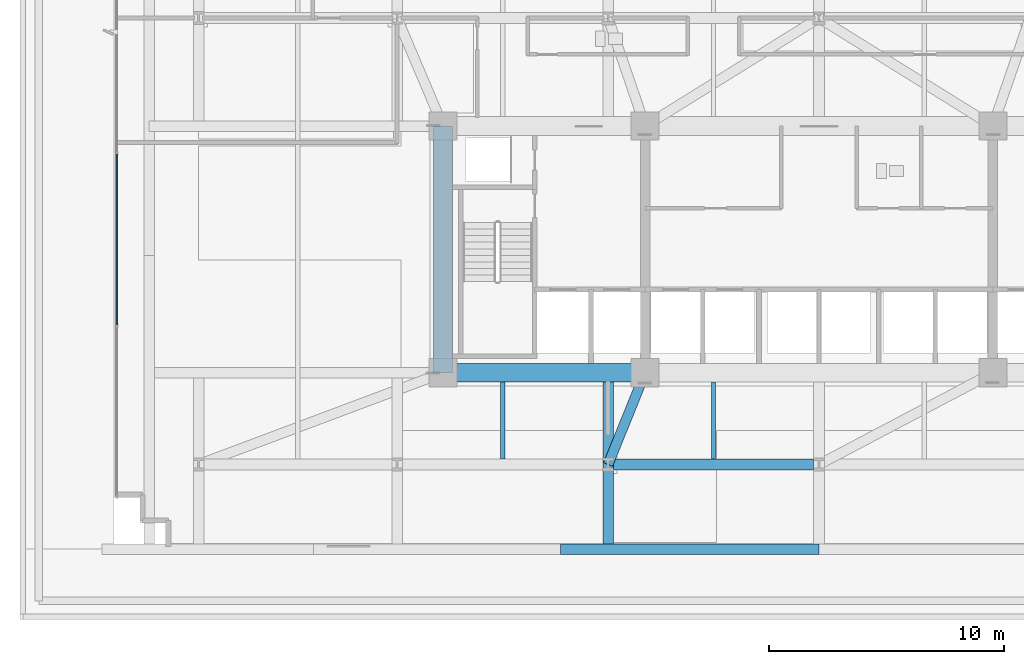
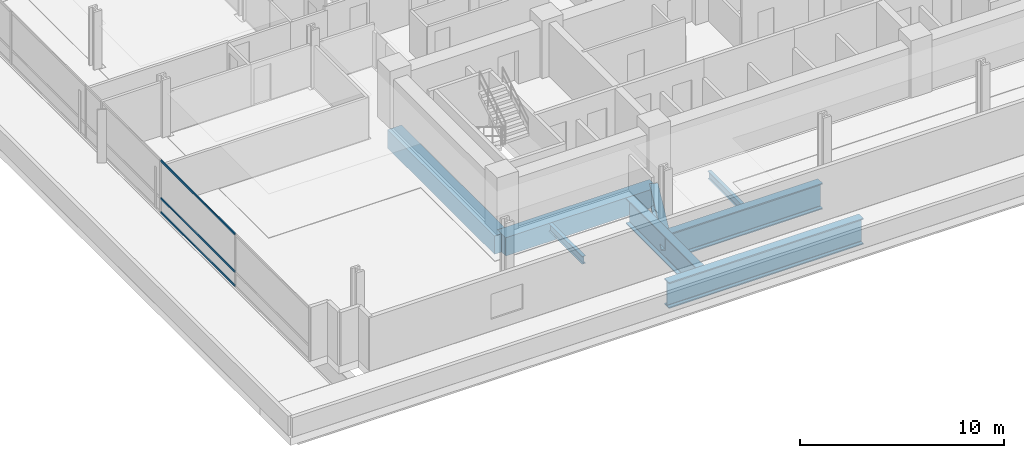
# One storey, part 3 of 25: 8 beams, 3 members, 1 element without a shape of its own.
"""IFC4 building model written with IfcOpenShell, lengths in metres."""

from ifc_helpers import new_model, si_unit, direction, frame, origin, origin_2d, place, context, subcontext, project, spatial, rectangle, i_section, extrude, material, material_profile, profile_set, type_object, element, aggregate, save


model = new_model("IFC4")

# Units and contexts
model_context = context("Model", 3, precision=1e-05, world=origin(), true_north=direction((0.0, 1.0)))
body_context = subcontext(model_context, "Body", "Model", "MODEL_VIEW")
ifc_project = project(units=[si_unit("LENGTHUNIT", "METRE"), si_unit("AREAUNIT", "SQUARE_METRE"), si_unit("VOLUMEUNIT", "CUBIC_METRE"), si_unit("PLANEANGLEUNIT", "RADIAN"), si_unit("MASSUNIT", "GRAM", prefix="KILO")], contexts=[model_context])

# Site, building, storey
site_placement = place(None, origin())
site = spatial("IfcSite", under=ifc_project, at=site_placement, CompositionType="ELEMENT")
building_placement = place(site_placement, origin())
building = spatial("IfcBuilding", under=site, at=building_placement, Name="Solmavex Isthmus Hotel", CompositionType="ELEMENT")
storey_placement = place(building_placement, frame((0.0, 0.0, 26.39990234375)))
storey = spatial("IfcBuildingStorey", under=building, at=storey_placement, Name="L06", CompositionType="ELEMENT", Elevation=26.39990234375)

# Beams
ifc_material_1 = material(Name="Steel ASTM A992 Grade 50", Category="steel")
ifc_material_profile_1 = material_profile(ifc_material_1, i_section(OverallWidth=0.1904296875, OverallDepth=0.456787109375, WebThickness=0.009033203125, FlangeThickness=0.014404296875, FilletRadius=0.0126953125, at=origin_2d()), Name="W18X50")
ifc_profile_set_1 = profile_set([ifc_material_profile_1], Name="Steel ASTM A992 Grade 50")
beam_type_1 = type_object("IfcBeamType", Name="BM-BJ-W18X50", PredefinedType="JOIST", material=ifc_profile_set_1)
for number, where, z_axis, x_axis, name in (
    (1, (-13.464111328125, -16.675048828125, -0.678466796875), (0.0, 1.0, 0.0), (-1.0, 0.0, 0.0), "Secondary Floor Joist L06-J03"),
    (2, (-4.488037109375, -16.675048828125, -0.678466796875), (0.0, 1.0, 0.0), (-1.0, 0.0, 0.0), "Secondary Floor Joist L06-J06"),
):
    element("IfcBeam", number, at=place(storey_placement, frame(where, z_axis=z_axis, x_axis=x_axis)), inside=storey, type_object=beam_type_1, Name=name, PredefinedType="JOIST", context=body_context, shape_type="SweptSolid", body=[
        extrude(i_section(OverallWidth=0.1904296875, OverallDepth=0.456787109375, WebThickness=0.009033203125, FlangeThickness=0.014404296875, FilletRadius=0.0126953125, at=origin_2d()), origin(), (0.0, 0.0, 1.0), 3.275146484375),
    ])
ifc_material_2 = material(Name="Concrete C70/85", Category="concrete")
ifc_material_profile_2 = material_profile(ifc_material_2, rectangle(XDim=0.800048828125, YDim=1.10009765625, at=origin_2d()), Name="RC800X1100")
ifc_profile_set_2 = profile_set([ifc_material_profile_2], Name="Concrete C70/85")
beam_type_2 = type_object("IfcBeamType", Name="BM-CB-800X1100", PredefinedType="BEAM", material=ifc_profile_set_2)
beam_1_placement = place(storey_placement, frame((-16.0, -13.0, -1.0), z_axis=(1.0, 0.0, 0.0), x_axis=(0.0, 1.0, 0.0)))
element("IfcBeam", 3, at=beam_1_placement, inside=storey, type_object=beam_type_2, Name="Core Coupling Beam L06-CB1", PredefinedType="BEAM", context=body_context, shape_type="SweptSolid", body=[
    extrude(rectangle(XDim=0.800048828125, YDim=1.10009765625, at=origin_2d()), origin(), (0.0, 0.0, 1.0), 8.60009765625),
])
beam_2_placement = place(storey_placement, frame((-16.0, -13.0, -1.0), z_axis=(0.0, 1.0, 0.0), x_axis=(-1.0, 0.0, 0.0)))
element("IfcBeam", 4, at=beam_2_placement, inside=storey, type_object=beam_type_2, Name="Core Coupling Beam L06-CB7", PredefinedType="BEAM", context=body_context, shape_type="SweptSolid", body=[
    extrude(rectangle(XDim=0.800048828125, YDim=1.10009765625, at=origin_2d()), origin(), (0.0, 0.0, 1.0), 10.5),
])
ifc_material_3 = material(Name="Steel ASTM A572 Grade 50", Category="steel")
ifc_material_profile_3 = material_profile(ifc_material_3, i_section(OverallWidth=0.449951171875, OverallDepth=1.550048828125, WebThickness=0.031982421875, FlangeThickness=0.06494140625, FilletRadius=0.030517578125, at=origin_2d()), Name="I1550X450")
ifc_profile_set_3 = profile_set([ifc_material_profile_3], Name="Steel ASTM A572 Grade 50")
beam_type_3 = type_object("IfcBeamType", Name="BM-TB-G1550", PredefinedType="BEAM", material=ifc_profile_set_3)
beam_3_placement = place(storey_placement, frame((-11.0, -20.5, -1.224853515625), z_axis=(1.0, 0.0, 0.0), x_axis=(0.0, 1.0, 0.0)))
element("IfcBeam", 5, at=beam_3_placement, inside=storey, type_object=beam_type_3, Name="Podium-to-Tower Mega Transfer Girder L06-MG03", PredefinedType="BEAM", context=body_context, shape_type="SweptSolid", body=[
    extrude(i_section(OverallWidth=0.449951171875, OverallDepth=1.550048828125, WebThickness=0.031982421875, FlangeThickness=0.06494140625, FilletRadius=0.030517578125, at=origin_2d()), origin(), (0.0, 0.0, 1.0), 11.0),
])
beam_4_placement = place(storey_placement, frame((-8.97607421875, -20.27490234375, -1.224853515625), z_axis=(0.0, 1.0, 0.0), x_axis=(-1.0, 0.0, 0.0)))
element("IfcBeam", 6, at=beam_4_placement, inside=storey, type_object=beam_type_3, Name="Tower Column Root Transfer Girder L06-MNS3A", PredefinedType="BEAM", context=body_context, shape_type="SweptSolid", body=[
    extrude(i_section(OverallWidth=0.449951171875, OverallDepth=1.550048828125, WebThickness=0.031982421875, FlangeThickness=0.06494140625, FilletRadius=0.030517578125, at=origin_2d()), origin(), (0.0, 0.0, 1.0), 6.875),
])
beam_5_placement = place(storey_placement, frame((-8.7509765625, -16.89990234375, -1.224853515625), z_axis=(1.0, 0.0, 0.0), x_axis=(0.0, 1.0, 0.0)))
element("IfcBeam", 7, at=beam_5_placement, inside=storey, type_object=beam_type_3, Name="Outrigger Collector Girder L06-UG03", PredefinedType="BEAM", context=body_context, shape_type="SweptSolid", body=[
    extrude(i_section(OverallWidth=0.449951171875, OverallDepth=1.550048828125, WebThickness=0.031982421875, FlangeThickness=0.06494140625, FilletRadius=0.030517578125, at=origin_2d()), origin(), (0.0, 0.0, 1.0), 8.52587890625),
])
ifc_material_4 = material(Name="Steel ASTM A913 Grade 65", Category="steel")
ifc_material_profile_4 = material_profile(ifc_material_4, i_section(OverallWidth=0.42431640625, OverallDepth=1.09228515625, WebThickness=0.04541015625, FlangeThickness=0.08203125, FilletRadius=0.030517578125, at=origin_2d()), Name="W40X593")
ifc_profile_set_4 = profile_set([ifc_material_profile_4], Name="Steel ASTM A913 Grade 65")
beam_type_4 = type_object("IfcBeamType", Name="BM-TB-W40X397", PredefinedType="BEAM", material=ifc_profile_set_4)
beam_6_placement = place(storey_placement, frame((-7.39990234375, -13.0, -0.99609375), z_axis=(-0.374710627272, -0.927141815371, 0.0), x_axis=(0.927141815371, -0.374710627272, 0.0)))
element("IfcBeam", 8, at=beam_6_placement, inside=storey, type_object=beam_type_4, Name="Core Outrigger Strut L05-OTS1", PredefinedType="BEAM", context=body_context, shape_type="SweptSolid", body=[
    extrude(i_section(OverallWidth=0.42431640625, OverallDepth=1.09228515625, WebThickness=0.04541015625, FlangeThickness=0.08203125, FilletRadius=0.030517578125, at=origin_2d()), origin(), (0.0, 0.0, 1.0), 4.206298828125),
])

# Curtain wall, members
ifc_material_5 = material(Name="Aluminium alloy 6063-T6", Category="aluminium")
curtain_wall_type = type_object("IfcCurtainWallType", Name="CW-SYS-06", PredefinedType="NOTDEFINED", material=ifc_material_5)
curtain_wall_placement = place(storey_placement, origin())
curtain_wall = element("IfcCurtainWall", 9, at=curtain_wall_placement, inside=storey, type_object=curtain_wall_type, Name="Stick Curtain Wall CWL-L06-W1", PredefinedType="NOTDEFINED")
ifc_material_profile_5 = material_profile(ifc_material_5, rectangle(XDim=0.06005859375, YDim=0.114990234375, at=origin_2d()), Name="CWT-60X115")
ifc_profile_set_5 = profile_set([ifc_material_profile_5], Name="Aluminium alloy 6063-T6")
member_type = type_object("IfcMemberType", Name="CW-SYS-06-TRN", PredefinedType="USERDEFINED", material=ifc_profile_set_5)
member_1_placement = place(storey_placement, frame((-29.8798828125, -10.949951171875, 0.0576171875), z_axis=(0.0, 1.0, 0.0), x_axis=(-1.0, 0.0, 0.0)))
member_1 = element("IfcMember", 10, at=member_1_placement, type_object=member_type, Name="CW-06 transom 2.1", ObjectType="TRANSOM", PredefinedType="USERDEFINED", context=body_context, shape_type="SweptSolid", body=[
    extrude(rectangle(XDim=0.06005859375, YDim=0.114990234375, at=origin_2d()), origin(), (0.0, 0.0, 1.0), 7.260009765625),
])
member_2_placement = place(storey_placement, frame((-29.8798828125, -10.949951171875, 0.900146484375), z_axis=(0.0, 1.0, 0.0), x_axis=(-1.0, 0.0, 0.0)))
member_2 = element("IfcMember", 11, at=member_2_placement, type_object=member_type, Name="CW-06 transom 2.2", ObjectType="TRANSOM", PredefinedType="USERDEFINED", context=body_context, shape_type="SweptSolid", body=[
    extrude(rectangle(XDim=0.06005859375, YDim=0.114990234375, at=origin_2d()), origin(), (0.0, 0.0, 1.0), 7.260009765625),
])
member_3_placement = place(storey_placement, frame((-29.8798828125, -10.949951171875, 3.132568359375), z_axis=(0.0, 1.0, 0.0), x_axis=(-1.0, 0.0, 0.0)))
member_3 = element("IfcMember", 12, at=member_3_placement, type_object=member_type, Name="CW-06 transom 2.3", ObjectType="TRANSOM", PredefinedType="USERDEFINED", context=body_context, shape_type="SweptSolid", body=[
    extrude(rectangle(XDim=0.06005859375, YDim=0.114990234375, at=origin_2d()), origin(), (0.0, 0.0, 1.0), 7.260009765625),
])
aggregate(curtain_wall, [member_1, member_2, member_3])

save(model, "model.ifc")
